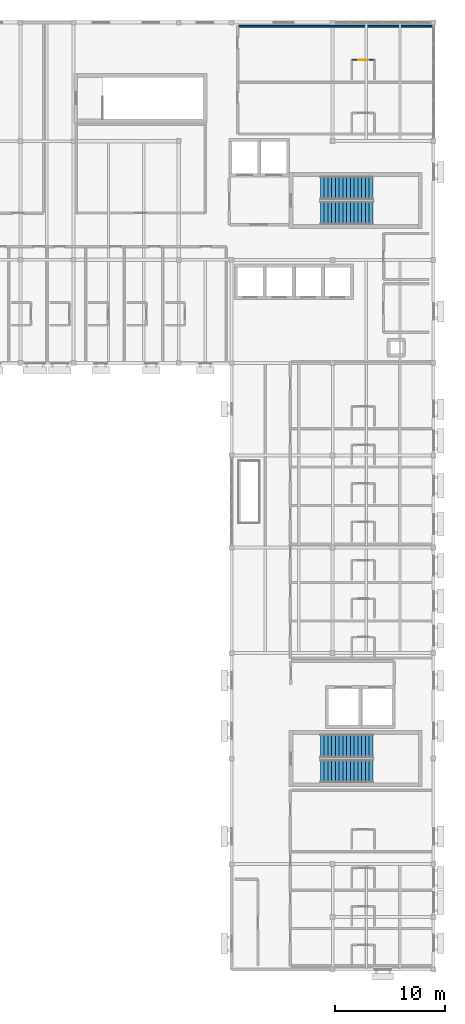
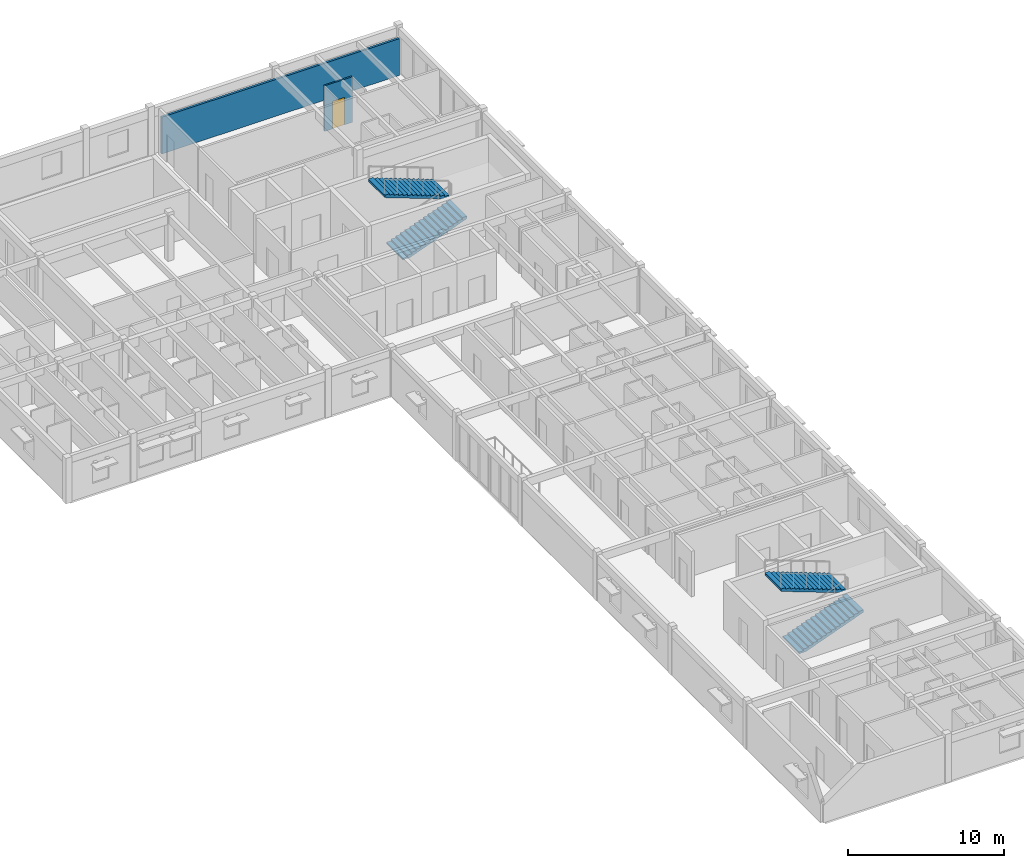
# One storey, part 12 of 17: 4 stair flights, 2 walls, 1 door, 1 opening, 2 elements without a shape of their own.
"""IFC4 building model written with IfcOpenShell, lengths in metres."""

from ifc_helpers import new_model, si_unit, direction, frame, frame_2d, origin, place, context, subcontext, project, spatial, polyline, rectangle, outline, extrude, material, layer, layer_set, type_object, element, fill, aggregate, save


model = new_model("IFC4")

# Units and contexts
model_context = context("Model", 3, precision=1e-05, world=origin(), true_north=direction((0.0, 1.0)))
body_context = subcontext(model_context, "Body", "Model", "MODEL_VIEW")
ifc_project = project(units=[si_unit("LENGTHUNIT", "METRE"), si_unit("AREAUNIT", "SQUARE_METRE"), si_unit("VOLUMEUNIT", "CUBIC_METRE"), si_unit("PLANEANGLEUNIT", "RADIAN"), si_unit("MASSUNIT", "GRAM", prefix="KILO")], contexts=[model_context])

# Site, building, storey
site_placement = place(None, origin())
site = spatial("IfcSite", under=ifc_project, at=site_placement, CompositionType="ELEMENT")
building_placement = place(site_placement, origin())
building = spatial("IfcBuilding", under=site, at=building_placement, Name="Veldera Park Congress Hotel", CompositionType="ELEMENT")
storey_placement = place(building_placement, frame((0.0, 0.0, 35.199951171875)))
storey = spatial("IfcBuildingStorey", under=building, at=storey_placement, Name="L08", CompositionType="ELEMENT", Elevation=35.199951171875)

# Wall, opening, door
ifc_material_1 = material(Name="Fire-Rated Gypsum Board on Cold-Formed Steel Studs", Category="steel")
ifc_layer_1 = layer(ifc_material_1, 0.1201171875)
ifc_layer_set_1 = layer_set([ifc_layer_1], Name="Fire-Rated Gypsum Board on Cold-Formed Steel Studs")
wall_type_1 = type_object("IfcWallType", Name="IW-BATH120", PredefinedType="PARTITIONING", material=ifc_layer_set_1)
wall_1_placement = place(storey_placement, frame((76.550048828125, 54.60009765625, 0.0), z_axis=(0.0, 0.0, 1.0), x_axis=(1.0, 0.0, 0.0)))
wall_1 = element("IfcWall", 1, at=wall_1_placement, inside=storey, type_object=wall_type_1, Name="L08 Partition Wall IW3-L08-01576", PredefinedType="PARTITIONING", context=body_context, shape_type="SweptSolid", body=[
    extrude(rectangle(XDim=2.050048828125, YDim=0.1201171875, at=frame_2d((1.02490234375, 0.0))), origin(), (0.0, 0.0, 1.0), 3.56494140625),
])
opening_placement = place(wall_1_placement, frame((0.574951171875, 0.0, 0.0)))
opening = element("IfcOpeningElement", 2, at=opening_placement, cuts=wall_1, Name="Opening ID-BATH090", PredefinedType="OPENING", context=body_context, shape_type="SweptSolid", body=[
    extrude(rectangle(XDim=0.89990234375, YDim=2.14990234375, at=frame_2d((0.449951171875, 1.074951171875))), frame((0.0, 0.072021484375, 0.0), z_axis=(0.0, -1.0, 0.0), x_axis=(1.0, 0.0, 0.0)), (0.0, 0.0, 1.0), 0.14404296875),
])
ifc_material_2 = material(Name="Solid Core White Oak Architectural Door", Category="wood")
door_type = type_object("IfcDoorType", Name="ID-BATH090", OperationType="NOTDEFINED", PredefinedType="DOOR", material=ifc_material_2)
door_placement = place(opening_placement, origin())
door = element("IfcDoor", 3, at=door_placement, inside=storey, type_object=door_type, Name="L08 En-suite 255 Door ID3-L08-0649 (DR3-ID3-L08-0649)", OperationType="SINGLE_SWING_LEFT", OverallHeight=2.14990234375, OverallWidth=0.89990234375, PredefinedType="DOOR", context=body_context, shape_type="SweptSolid", body=[
    extrude(rectangle(XDim=0.89990234375, YDim=2.14990234375, at=frame_2d((0.449951171875, 1.074951171875))), frame((0.0, 0.02490234375, 0.0), z_axis=(0.0, -1.0, 0.0), x_axis=(1.0, 0.0, 0.0)), (0.0, 0.0, 1.0), 0.050048828125),
])
fill(opening, door)

# Wall
ifc_material_3 = material(Name="Cross-laminated timber CLT V2M1.1", Category="wood")
ifc_layer_2 = layer(ifc_material_3, 0.159912109375)
ifc_layer_set_2 = layer_set([ifc_layer_2], Name="Cross-laminated timber CLT V2M1.1")
wall_type_2 = type_object("IfcWallType", Name="IW-UNIT160", PredefinedType="PARTITIONING", material=ifc_layer_set_2)
wall_2_placement = place(storey_placement, frame((66.25, 57.64990234375, 0.0), z_axis=(0.0, 0.0, 1.0), x_axis=(1.0, 0.0, 0.0)))
element("IfcWall", 4, at=wall_2_placement, inside=storey, type_object=wall_type_2, Name="L08 Partition Wall IW3-L08-01573", PredefinedType="PARTITIONING", context=body_context, shape_type="SweptSolid", body=[
    extrude(rectangle(XDim=17.590087890625, YDim=0.159912109375, at=frame_2d((8.794921875, 0.0))), origin(), (0.0, 0.0, 1.0), 2.880126953125),
])

# Stair, stair flights
ifc_material_4 = material(Name="Concrete f'c 40 MPa (5,800 psi)", Category="concrete")
stair_type_1 = type_object("IfcStairType", Name="ST1", PredefinedType="HALF_TURN_STAIR", material=ifc_material_4)
stair_1_placement = place(storey_placement, origin())
stair_1 = element("IfcStair", 5, at=stair_1_placement, inside=storey, type_object=stair_type_1, Name="L08 Protected Exit Stair ST1", PredefinedType="HALF_TURN_STAIR")
stair_flight_type_1 = type_object("IfcStairFlightType", Name="SFL-ST1", PredefinedType="STRAIGHT", material=ifc_material_4)
stair_flight_1_placement = place(storey_placement, frame((73.699951171875, 40.64990234375, 0.0), z_axis=(0.0, 0.0, 1.0), x_axis=(1.0, 0.0, 0.0)))
stair_flight_1 = element("IfcStairFlight", 6, at=stair_flight_1_placement, type_object=stair_flight_type_1, Name="ST1 flight 1", NumberOfRisers=15, NumberOfTreads=14, PredefinedType="STRAIGHT", RiserHeight=0.126666667, TreadLength=0.34, context=body_context, shape_type="SweptSolid", body=[
    extrude(outline(polyline([(0.0, 0.0), (0.0, 0.126708984375), (0.340087890625, 0.126708984375), (0.340087890625, 0.25341796875), (0.679931640625, 0.25341796875), (0.679931640625, 0.3798828125), (1.02001953125, 0.3798828125), (1.02001953125, 0.506591796875), (1.360107421875, 0.506591796875), (1.360107421875, 0.63330078125), (1.699951171875, 0.63330078125), (1.699951171875, 0.760009765625), (2.0400390625, 0.760009765625), (2.0400390625, 0.88671875), (2.3798828125, 0.88671875), (2.3798828125, 1.013427734375), (2.719970703125, 1.013427734375), (2.719970703125, 1.139892578125), (3.06005859375, 1.139892578125), (3.06005859375, 1.2666015625), (3.39990234375, 1.2666015625), (3.39990234375, 1.393310546875), (3.739990234375, 1.393310546875), (3.739990234375, 1.52001953125), (4.080078125, 1.52001953125), (4.080078125, 1.646728515625), (4.419921875, 1.646728515625), (4.419921875, 1.7734375), (4.760009765625, 1.7734375), (4.760009765625, 1.89990234375), (4.760009765625, 1.89990234375), (4.760009765625, 1.581298828125), (0.515380859375, 0.0), (0.0, 0.0)])), frame((0.0, 1.050048828125, 0.0), z_axis=(0.0, -1.0, 0.0), x_axis=(1.0, 0.0, 0.0)), (0.0, 0.0, 1.0), 2.10009765625),
])
stair_flight_2_placement = place(storey_placement, frame((78.4599609375, 42.949951171875, 1.900146484375), z_axis=(0.0, 0.0, 1.0), x_axis=(-1.0, 0.0, 0.0)))
stair_flight_2 = element("IfcStairFlight", 7, at=stair_flight_2_placement, type_object=stair_flight_type_1, Name="ST1 flight 2", NumberOfRisers=15, NumberOfTreads=14, PredefinedType="STRAIGHT", RiserHeight=0.126666667, TreadLength=0.34, context=body_context, shape_type="SweptSolid", body=[
    extrude(outline(polyline([(0.0, 0.0), (0.0, 0.126708984375), (0.340087890625, 0.126708984375), (0.340087890625, 0.25341796875), (0.679931640625, 0.25341796875), (0.679931640625, 0.3798828125), (1.02001953125, 0.3798828125), (1.02001953125, 0.506591796875), (1.360107421875, 0.506591796875), (1.360107421875, 0.63330078125), (1.699951171875, 0.63330078125), (1.699951171875, 0.760009765625), (2.0400390625, 0.760009765625), (2.0400390625, 0.88671875), (2.3798828125, 0.88671875), (2.3798828125, 1.013427734375), (2.719970703125, 1.013427734375), (2.719970703125, 1.139892578125), (3.06005859375, 1.139892578125), (3.06005859375, 1.2666015625), (3.39990234375, 1.2666015625), (3.39990234375, 1.393310546875), (3.739990234375, 1.393310546875), (3.739990234375, 1.52001953125), (4.080078125, 1.52001953125), (4.080078125, 1.646728515625), (4.419921875, 1.646728515625), (4.419921875, 1.7734375), (4.760009765625, 1.7734375), (4.760009765625, 1.89990234375), (4.760009765625, 1.89990234375), (4.760009765625, 1.581298828125), (0.515380859375, 0.0), (0.0, 0.0)])), frame((0.0, 1.050048828125, 0.0), z_axis=(0.0, -1.0, 0.0), x_axis=(1.0, 0.0, 0.0)), (0.0, 0.0, 1.0), 2.10009765625),
])
aggregate(stair_1, [stair_flight_1, stair_flight_2])

stair_type_2 = type_object("IfcStairType", Name="ST2", PredefinedType="HALF_TURN_STAIR", material=ifc_material_4)
stair_2_placement = place(storey_placement, origin())
stair_2 = element("IfcStair", 8, at=stair_2_placement, inside=storey, type_object=stair_type_2, Name="L08 Protected Exit Stair ST2", PredefinedType="HALF_TURN_STAIR")
stair_flight_type_2 = type_object("IfcStairFlightType", Name="SFL-ST2", PredefinedType="STRAIGHT", material=ifc_material_4)
stair_flight_3_placement = place(storey_placement, frame((73.699951171875, -10.14990234375, 0.0), z_axis=(0.0, 0.0, 1.0), x_axis=(1.0, 0.0, 0.0)))
stair_flight_3 = element("IfcStairFlight", 9, at=stair_flight_3_placement, type_object=stair_flight_type_2, Name="ST2 flight 1", NumberOfRisers=15, NumberOfTreads=14, PredefinedType="STRAIGHT", RiserHeight=0.126666667, TreadLength=0.34, context=body_context, shape_type="SweptSolid", body=[
    extrude(outline(polyline([(0.0, 0.0), (0.0, 0.126708984375), (0.340087890625, 0.126708984375), (0.340087890625, 0.25341796875), (0.679931640625, 0.25341796875), (0.679931640625, 0.3798828125), (1.02001953125, 0.3798828125), (1.02001953125, 0.506591796875), (1.360107421875, 0.506591796875), (1.360107421875, 0.63330078125), (1.699951171875, 0.63330078125), (1.699951171875, 0.760009765625), (2.0400390625, 0.760009765625), (2.0400390625, 0.88671875), (2.3798828125, 0.88671875), (2.3798828125, 1.013427734375), (2.719970703125, 1.013427734375), (2.719970703125, 1.139892578125), (3.06005859375, 1.139892578125), (3.06005859375, 1.2666015625), (3.39990234375, 1.2666015625), (3.39990234375, 1.393310546875), (3.739990234375, 1.393310546875), (3.739990234375, 1.52001953125), (4.080078125, 1.52001953125), (4.080078125, 1.646728515625), (4.419921875, 1.646728515625), (4.419921875, 1.7734375), (4.760009765625, 1.7734375), (4.760009765625, 1.89990234375), (4.760009765625, 1.89990234375), (4.760009765625, 1.581298828125), (0.515380859375, 0.0), (0.0, 0.0)])), frame((0.0, 1.050048828125, 0.0), z_axis=(0.0, -1.0, 0.0), x_axis=(1.0, 0.0, 0.0)), (0.0, 0.0, 1.0), 2.10009765625),
])
stair_flight_4_placement = place(storey_placement, frame((78.4599609375, -7.85009765625, 1.900146484375), z_axis=(0.0, 0.0, 1.0), x_axis=(-1.0, 0.0, 0.0)))
stair_flight_4 = element("IfcStairFlight", 10, at=stair_flight_4_placement, type_object=stair_flight_type_2, Name="ST2 flight 2", NumberOfRisers=15, NumberOfTreads=14, PredefinedType="STRAIGHT", RiserHeight=0.126666667, TreadLength=0.34, context=body_context, shape_type="SweptSolid", body=[
    extrude(outline(polyline([(0.0, 0.0), (0.0, 0.126708984375), (0.340087890625, 0.126708984375), (0.340087890625, 0.25341796875), (0.679931640625, 0.25341796875), (0.679931640625, 0.3798828125), (1.02001953125, 0.3798828125), (1.02001953125, 0.506591796875), (1.360107421875, 0.506591796875), (1.360107421875, 0.63330078125), (1.699951171875, 0.63330078125), (1.699951171875, 0.760009765625), (2.0400390625, 0.760009765625), (2.0400390625, 0.88671875), (2.3798828125, 0.88671875), (2.3798828125, 1.013427734375), (2.719970703125, 1.013427734375), (2.719970703125, 1.139892578125), (3.06005859375, 1.139892578125), (3.06005859375, 1.2666015625), (3.39990234375, 1.2666015625), (3.39990234375, 1.393310546875), (3.739990234375, 1.393310546875), (3.739990234375, 1.52001953125), (4.080078125, 1.52001953125), (4.080078125, 1.646728515625), (4.419921875, 1.646728515625), (4.419921875, 1.7734375), (4.760009765625, 1.7734375), (4.760009765625, 1.89990234375), (4.760009765625, 1.89990234375), (4.760009765625, 1.581298828125), (0.515380859375, 0.0), (0.0, 0.0)])), frame((0.0, 1.050048828125, 0.0), z_axis=(0.0, -1.0, 0.0), x_axis=(1.0, 0.0, 0.0)), (0.0, 0.0, 1.0), 2.10009765625),
])
aggregate(stair_2, [stair_flight_3, stair_flight_4])

save(model, "model.ifc")
